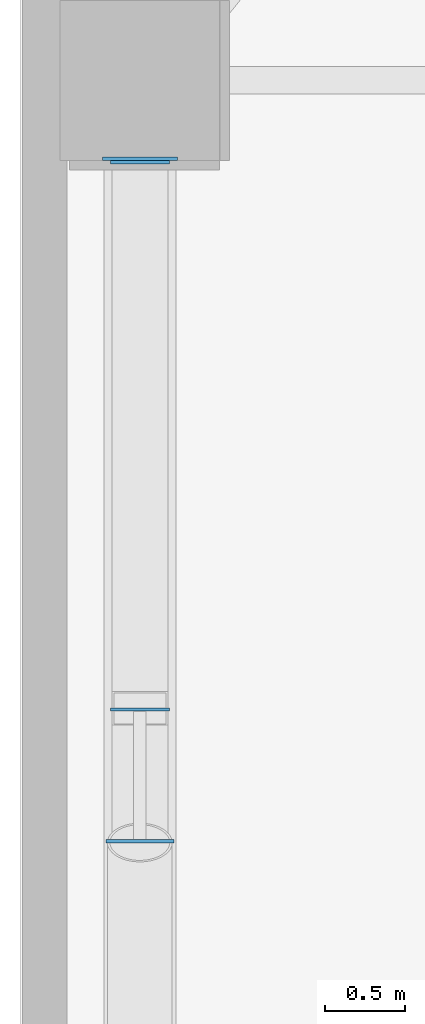
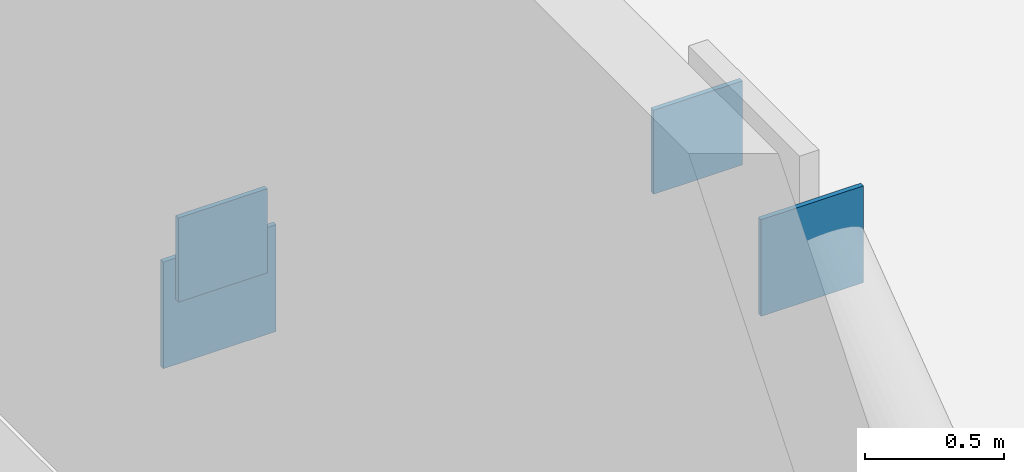
# One storey, part 5 of 12: 4 plates.
"""IFC4 building model written with IfcOpenShell, lengths in metres."""

import ifcopenshell
import ifcopenshell.guid

model = None  # the IFC model being written
_history = None  # IfcOwnerHistory: only IFC2X3 demands one
_inside = {}  # id of a spatial element -> (the spatial element, [elements in it])
_under = {}  # id of a project, library or spatial element -> (it, [spatial elements below it])
_declared = {}  # id of a project -> (the project, [libraries it declares])
_typed = {}  # id of a type object -> (the type object, [elements of that type])
_made_of = {}  # id of a material, layer set ... -> (it, [elements and type objects made of it])


def new_model(schema):
    """Start an empty IFC model of exactly this schema.

    Asked for "IFC4X3", IfcOpenShell would pick the latest addendum, in which some entities
    have other attributes; the version numbers below select the first issue.
    IFC2X3 requires an IfcOwnerHistory on every rooted entity: one is made here for all.
    """
    global model, _history
    if schema == "IFC4X3":
        model = ifcopenshell.file(schema_version=(4, 3, 0, 0))
    else:
        model = ifcopenshell.file(schema=schema)
    _inside.clear()
    _under.clear()
    _declared.clear()
    _typed.clear()
    _made_of.clear()
    _history = None
    if model.schema == "IFC2X3":
        org = make("IfcOrganization", Name="unknown")
        user = make(
            "IfcPersonAndOrganization",
            ThePerson=make("IfcPerson", FamilyName="unknown"),
            TheOrganization=org,
        )
        app = make(
            "IfcApplication",
            ApplicationDeveloper=org,
            Version="unknown",
            ApplicationFullName="unknown",
            ApplicationIdentifier="unknown",
        )
        _history = make(
            "IfcOwnerHistory",
            OwningUser=user,
            OwningApplication=app,
            ChangeAction="ADDED",
            CreationDate=0,
        )
    return model


def make(cls, **values):
    """One entity of the class cls with the attributes given. An attribute that is None is left unset."""
    return model.create_entity(
        cls, **{name: value for name, value in values.items() if value is not None}
    )


def rooted(cls, **values):
    """An entity with a GlobalId (a new one), such as an element, a storey or a relation."""
    return make(cls, GlobalId=ifcopenshell.guid.new(), OwnerHistory=_history, **values)


def si_unit(unit_type, name, prefix=None):
    """IfcSIUnit, for example si_unit("LENGTHUNIT", "METRE", prefix="MILLI")."""
    return make("IfcSIUnit", UnitType=unit_type, Prefix=prefix, Name=name)


def assignment(units):
    """IfcUnitAssignment: the units of a project."""
    return None if units is None else make("IfcUnitAssignment", Units=units)


def point(xyz):
    """IfcCartesianPoint."""
    return None if xyz is None else make("IfcCartesianPoint", Coordinates=xyz)


def direction(xyz):
    """IfcDirection."""
    return None if xyz is None else make("IfcDirection", DirectionRatios=xyz)


def frame(location, z_axis=None, x_axis=None):
    """IfcAxis2Placement3D, a coordinate frame: its origin and axes. An axis left out is left unset."""
    return make(
        "IfcAxis2Placement3D",
        Location=point(location),
        Axis=direction(z_axis),
        RefDirection=direction(x_axis),
    )


def frame_2d(location, x_axis=None):
    """IfcAxis2Placement2D, a coordinate frame in the plane: its origin and x axis."""
    return make(
        "IfcAxis2Placement2D", Location=point(location), RefDirection=direction(x_axis)
    )


def origin():
    """The frame at (0, 0, 0) with its axes left unset."""
    return frame((0.0, 0.0, 0.0))


def origin_2d():
    """The frame at (0, 0) in the plane with its x axis left unset."""
    return frame_2d((0.0, 0.0))


def place(relative_to, where):
    """IfcLocalPlacement: puts the frame where relative to a parent placement (None: the world)."""
    return make(
        "IfcLocalPlacement", PlacementRelTo=relative_to, RelativePlacement=where
    )


def context(
    kind, dimensions, precision=None, world=None, true_north=None, identifier=None
):
    """IfcGeometricRepresentationContext, for example the 3D "Model" context."""
    return make(
        "IfcGeometricRepresentationContext",
        ContextIdentifier=identifier,
        ContextType=kind,
        CoordinateSpaceDimension=dimensions,
        Precision=precision,
        WorldCoordinateSystem=world,
        TrueNorth=true_north,
    )


def subcontext(parent, identifier, kind, view, scale=None):
    """IfcGeometricRepresentationSubContext, for example "Body" below "Model"."""
    return make(
        "IfcGeometricRepresentationSubContext",
        ContextIdentifier=identifier,
        ContextType=kind,
        ParentContext=parent,
        TargetScale=scale,
        TargetView=view,
    )


def project(units=None, contexts=None):
    """IfcProject with its units and contexts."""
    return rooted(
        "IfcProject",
        Name="project",
        RepresentationContexts=contexts,
        UnitsInContext=assignment(units),
    )


def spatial(cls, under=None, at=None, **own):
    """A site, building, storey or space (cls), placed at a placement, below another one or the project."""
    s = rooted(cls, ObjectPlacement=at, **own)
    if under is not None:
        _under.setdefault(under.id(), (under, []))[1].append(s)
    return s


def profile(cls, at=None, kind="AREA", **sizes):
    """A parametric profile (cls). Its sizes go by their IFC names, for example OverallWidth=200.0."""
    return make(cls, ProfileType=kind, Position=at, **sizes)


def rectangle(**sizes):
    """IfcRectangleProfileDef."""
    return profile("IfcRectangleProfileDef", **sizes)


def extrude(swept, where, along, depth):
    """IfcExtrudedAreaSolid: the profile swept, set in the frame where, extruded along a direction by depth."""
    return make(
        "IfcExtrudedAreaSolid",
        SweptArea=swept,
        Position=where,
        ExtrudedDirection=direction(along),
        Depth=depth,
    )


def shape(context_of_items, identifier, shape_type, items):
    """IfcShapeRepresentation: the items that make up one representation, for example the "Body"."""
    return make(
        "IfcShapeRepresentation",
        ContextOfItems=context_of_items,
        RepresentationIdentifier=identifier,
        RepresentationType=shape_type,
        Items=items,
    )


def material(Name=None, Category=None):
    """IfcMaterial."""
    return make("IfcMaterial", Name=Name, Category=Category)


def layer(
    of_material, thickness, ventilated=None, Name=None, Category=None, Priority=None
):
    """IfcMaterialLayer: one layer of a wall or slab, of a material (None: an air gap)."""
    return make(
        "IfcMaterialLayer",
        Material=of_material,
        LayerThickness=thickness,
        IsVentilated=ventilated,
        Name=Name,
        Category=Category,
        Priority=Priority,
    )


def layer_set(layers, Name=None):
    """IfcMaterialLayerSet."""
    return make("IfcMaterialLayerSet", MaterialLayers=layers, LayerSetName=Name)


def made_of(thing, what):
    """Note that an element or type object is made of a material, layer set ...; save() writes the relation."""
    if what is not None:
        _made_of.setdefault(what.id(), (what, []))[1].append(thing)
    return thing


def type_object(cls, material=None, **own):
    """A type object (cls), such as IfcWallType, which elements share."""
    return made_of(rooted(cls, **own), material)


def element(
    cls,
    number,
    at=None,
    inside=None,
    cuts=None,
    type_object=None,
    material=None,
    context=None,
    identifier="Body",
    shape_type=None,
    held_by="IfcProductDefinitionShape",
    body=None,
    shapes=None,
    **own,
):
    """One element of the class cls, such as IfcWall. Its Tag is "e" and its number.

    at: its placement. inside: the storey or other place that contains it. cuts: it is an
    opening in that element (IfcRelVoidsElement). A single representation is given by context,
    identifier, shape_type and body (its items); several are given by shapes. held_by: the class
    of the entity that holds the representations. save() writes the other relations.
    """
    e = rooted(cls, Tag="e%d" % number, ObjectPlacement=at, **own)
    if body is not None:
        shapes = [shape(context, identifier, shape_type, body)]
    if shapes is not None:
        e.Representation = make(held_by, Representations=shapes)
    if inside is not None:
        _inside.setdefault(inside.id(), (inside, []))[1].append(e)
    if cuts is not None:
        rooted(
            "IfcRelVoidsElement", RelatingBuildingElement=cuts, RelatedOpeningElement=e
        )
    if type_object is not None:
        _typed.setdefault(type_object.id(), (type_object, []))[1].append(e)
    return made_of(e, material)


def aggregate(whole, parts):
    """IfcRelAggregates: a whole, such as a stair, and the parts it consists of."""
    return rooted("IfcRelAggregates", RelatingObject=whole, RelatedObjects=parts)


def save(model, path):
    """Write the relations noted so far, then the file.

    IfcRelAggregates (storeys below a building ...), IfcRelContainedInSpatialStructure (elements
    in a storey), IfcRelDefinesByType, IfcRelAssociatesMaterial and IfcRelDeclares: one each for
    every whole, place, type object, material and project.
    """
    for whole, parts in _under.values():
        aggregate(whole, parts)
    for where, things in _inside.values():
        rooted(
            "IfcRelContainedInSpatialStructure",
            RelatedElements=things,
            RelatingStructure=where,
        )
    for kind, things in _typed.values():
        rooted("IfcRelDefinesByType", RelatedObjects=things, RelatingType=kind)
    for what, things in _made_of.values():
        rooted("IfcRelAssociatesMaterial", RelatedObjects=things, RelatingMaterial=what)
    for by, libraries in _declared.values():
        rooted("IfcRelDeclares", RelatingContext=by, RelatedDefinitions=libraries)
    model.write(path)


model = new_model("IFC4")

# Units and contexts
model_context = context("Model", 3, precision=1e-05, world=origin(), true_north=direction((0.0, 1.0)))
body_context = subcontext(model_context, "Body", "Model", "MODEL_VIEW")
ifc_project = project(units=[si_unit("LENGTHUNIT", "METRE"), si_unit("AREAUNIT", "SQUARE_METRE"), si_unit("VOLUMEUNIT", "CUBIC_METRE"), si_unit("PLANEANGLEUNIT", "RADIAN"), si_unit("MASSUNIT", "GRAM", prefix="KILO")], contexts=[model_context])

# Site, building, storey
site_placement = place(None, origin())
site = spatial("IfcSite", under=ifc_project, at=site_placement, CompositionType="ELEMENT")
building_placement = place(site_placement, origin())
building = spatial("IfcBuilding", under=site, at=building_placement, Name="Solanera Arch Residences", CompositionType="ELEMENT")
storey_placement = place(building_placement, frame((0.0, 0.0, 172.47998046875)))
storey = spatial("IfcBuildingStorey", under=building, at=storey_placement, Name="L50", CompositionType="ELEMENT", Elevation=172.47998046875)

# Plates
ifc_material = material(Name="Steel S355 (ASTM A992 / A572 Grade 50)", Category="steel")
ifc_layer = layer(ifc_material, 0.02001953125)
ifc_layer_set = layer_set([ifc_layer], Name="Steel S355 (ASTM A992 / A572 Grade 50)")
plate_type = type_object("IfcPlateType", Name="End Cap Plate EC-20", PredefinedType="USERDEFINED", material=ifc_layer_set)
plate_1_placement = place(storey_placement, frame((3.64990234375, 38.909912109375, 0.21484375), z_axis=(0.0, 0.0, 1.0), x_axis=(0.0, 1.0, 0.0)))
element("IfcPlate", 1, at=plate_1_placement, inside=storey, type_object=plate_type, Name="Hollow Section End Cap 200", ObjectType="STIFFENER", PredefinedType="USERDEFINED", context=body_context, shape_type="SweptSolid", body=[
    extrude(rectangle(XDim=0.02001953125, YDim=0.469970703125, at=origin_2d()), origin(), (0.0, 0.0, 1.0), 0.469970703125),
])
plate_2_placement = place(storey_placement, frame((3.64990234375, 34.637939453125, 3.02783203125), z_axis=(0.0, 0.0, 1.0), x_axis=(0.0, 1.0, 0.0)))
element("IfcPlate", 2, at=plate_2_placement, inside=storey, type_object=plate_type, Name="Hollow Section End Cap 202", ObjectType="STIFFENER", PredefinedType="USERDEFINED", context=body_context, shape_type="SweptSolid", body=[
    extrude(rectangle(XDim=0.02001953125, YDim=0.426025390625, at=origin_2d()), origin(), (0.0, 0.0, 1.0), 0.426025390625),
])
for number, where, z_axis, x_axis, name in (
    (3, (3.64990234375, 38.887939453125, 0.50390625), (0.0, 0.0, 1.0), (0.0, 1.0, 0.0), "Hollow Section End Cap 203"),
    (4, (3.64990234375, 35.4619140625, 3.055908203125), (0.0, 0.0, 1.0), (0.0, -1.0, 0.0), "Hollow Section End Cap 204"),
):
    element("IfcPlate", number, at=place(storey_placement, frame(where, z_axis=z_axis, x_axis=x_axis)), inside=storey, type_object=plate_type, Name=name, ObjectType="STIFFENER", PredefinedType="USERDEFINED", context=body_context, shape_type="SweptSolid", body=[
        extrude(rectangle(XDim=0.02001953125, YDim=0.3701171875, at=origin_2d()), origin(), (0.0, 0.0, 1.0), 0.3701171875),
    ])

save(model, "model.ifc")
